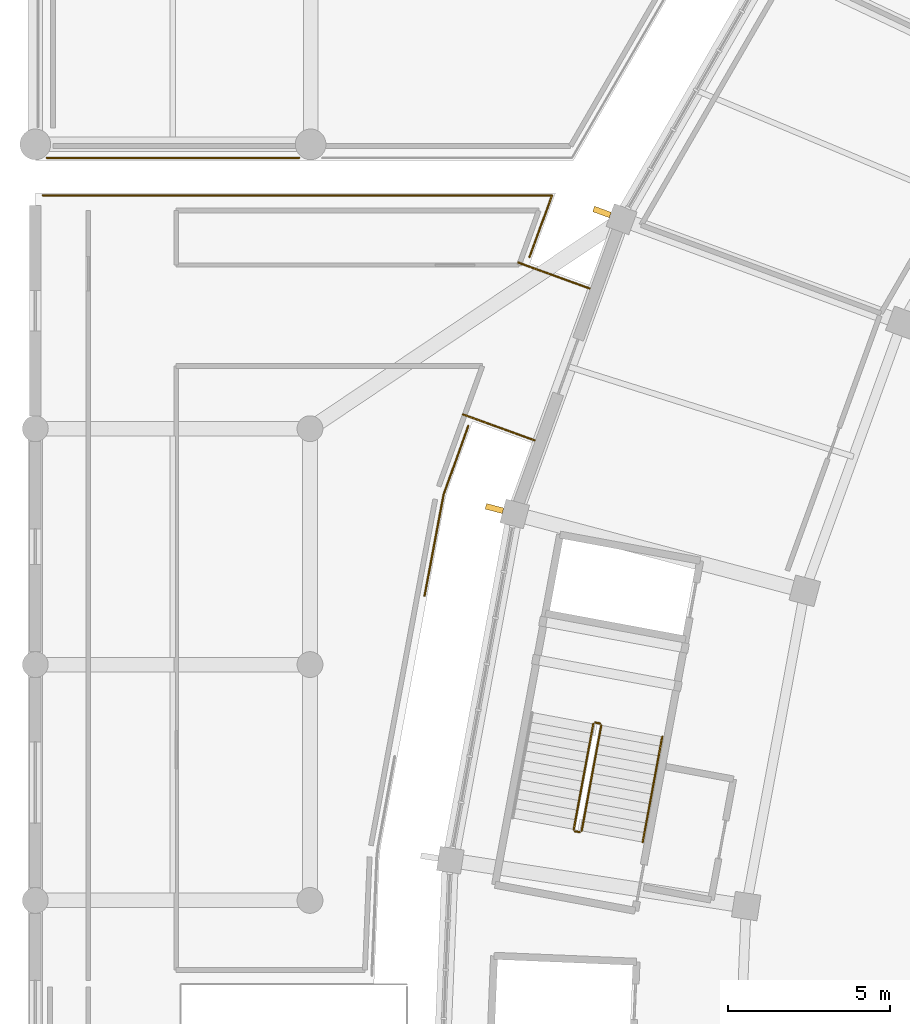
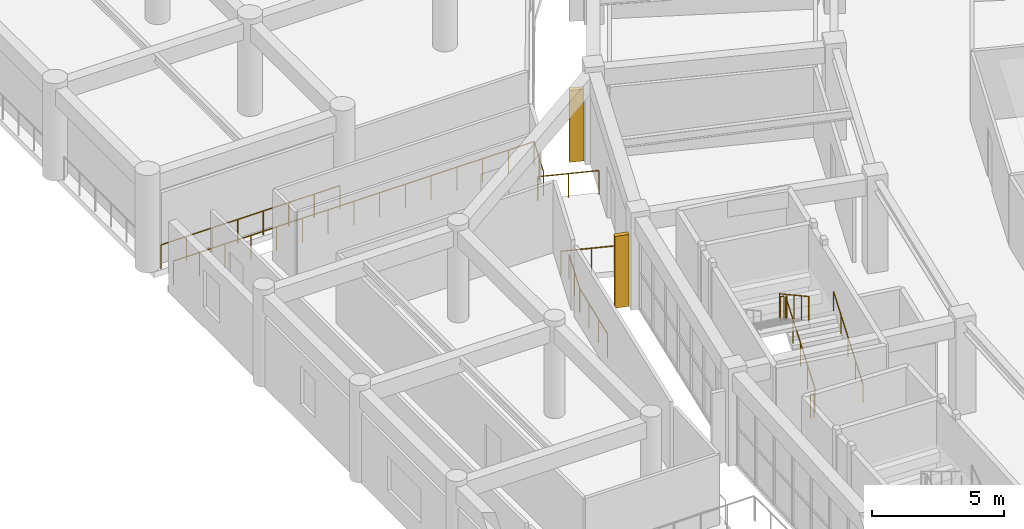
# One storey, part 123 of 141: 10 railings, 2 shading devices.
"""IFC4 building model written with IfcOpenShell, lengths in metres."""

from ifc_helpers import new_model, si_unit, direction, frame, origin, origin_2d, place, context, subcontext, project, spatial, rectangle, circle, extrude, material, type_object, element, save


model = new_model("IFC4")

# Units and contexts
model_context = context("Model", 3, precision=1e-05, world=origin(), true_north=direction((0.0, 1.0)))
body_context = subcontext(model_context, "Body", "Model", "MODEL_VIEW")
ifc_project = project(units=[si_unit("LENGTHUNIT", "METRE"), si_unit("AREAUNIT", "SQUARE_METRE"), si_unit("VOLUMEUNIT", "CUBIC_METRE"), si_unit("PLANEANGLEUNIT", "RADIAN"), si_unit("MASSUNIT", "GRAM", prefix="KILO")], contexts=[model_context])

# Site, building, storey
site_placement = place(None, origin())
site = spatial("IfcSite", under=ifc_project, at=site_placement, CompositionType="ELEMENT")
building_placement = place(site_placement, origin())
building = spatial("IfcBuilding", under=site, at=building_placement, Name="Mphavela Belvedere Stadium", CompositionType="ELEMENT")
storey_placement = place(building_placement, frame((0.0, 0.0, 14.699951171875)))
storey = spatial("IfcBuildingStorey", under=building, at=storey_placement, Name="L03", CompositionType="ELEMENT", Elevation=14.699951171875)

# Railings
ifc_material_1 = material(Name="Bronze and laminated glass stadium balustrade", Category="glass")
railing_type_1 = type_object("IfcRailingType", Name="RAL-BALUSTRADE-1120", PredefinedType="BALUSTRADE", material=ifc_material_1)
railing_1_placement = place(storey_placement, frame((17.154296875, 120.540771484375, 0.0)))
element("IfcRailing", 1, at=railing_1_placement, inside=storey, type_object=railing_type_1, Name="Colonnade link bridge balustrade L03-22A", PredefinedType="BALUSTRADE", context=body_context, shape_type="SweptSolid", body=[
    extrude(circle(Radius=0.02392578125, at=origin_2d()), frame((0.0, 0.0, 1.09619140625), z_axis=(-0.940044916205, 0.341050664151, 0.0), x_axis=(-0.341050664151, -0.940044916205, 0.0)), (0.0, 0.0, 1.0), 2.35009765625),
    extrude(circle(Radius=0.02099609375, at=origin_2d()), origin(), (0.0, 0.0, 1.0), 1.072021484375),
    extrude(circle(Radius=0.02099609375, at=origin_2d()), frame((-1.1044921875, 0.40087890625, 0.0)), (0.0, 0.0, 1.0), 1.072021484375),
    extrude(circle(Radius=0.02099609375, at=origin_2d()), frame((-2.209228515625, 0.801513671875, 0.0)), (0.0, 0.0, 1.0), 1.072021484375),
])
railing_2_placement = place(storey_placement, frame((15.44921875, 115.840576171875, 0.0)))
element("IfcRailing", 2, at=railing_2_placement, inside=storey, type_object=railing_type_1, Name="Colonnade link bridge balustrade L03-22B", PredefinedType="BALUSTRADE", context=body_context, shape_type="SweptSolid", body=[
    extrude(circle(Radius=0.02392578125, at=origin_2d()), frame((0.0, 0.0, 1.09619140625), z_axis=(-0.940078218368, 0.340958858734, 0.0), x_axis=(-0.340958858734, -0.940078218368, 0.0)), (0.0, 0.0, 1.0), 2.35009765625),
    extrude(circle(Radius=0.02099609375, at=origin_2d()), origin(), (0.0, 0.0, 1.0), 1.072021484375),
    extrude(circle(Radius=0.02099609375, at=origin_2d()), frame((-1.1044921875, 0.400634765625, 0.0)), (0.0, 0.0, 1.0), 1.072021484375),
    extrude(circle(Radius=0.02099609375, at=origin_2d()), frame((-2.209228515625, 0.80126953125, 0.0)), (0.0, 0.0, 1.0), 1.072021484375),
])
railing_3_placement = place(storey_placement, frame((8.164306640625, 124.580078125, 0.0)))
element("IfcRailing", 3, at=railing_3_placement, inside=storey, type_object=railing_type_1, Name="Peristyle wing gallery edge balustrade L03-36", PredefinedType="BALUSTRADE", context=body_context, shape_type="SweptSolid", body=[
    extrude(circle(Radius=0.02392578125, at=origin_2d()), frame((0.0, 0.0, 1.09619140625), z_axis=(-1.0, 0.0, 0.0), x_axis=(0.0, -1.0, 0.0)), (0.0, 0.0, 1.0), 7.809814453125),
    extrude(circle(Radius=0.02099609375, at=origin_2d()), origin(), (0.0, 0.0, 1.0), 1.072021484375),
    extrude(circle(Radius=0.02099609375, at=origin_2d()), frame((-1.11572265625, 0.0, 0.0)), (0.0, 0.0, 1.0), 1.072021484375),
    extrude(circle(Radius=0.02099609375, at=origin_2d()), frame((-2.2314453125, 0.0, 0.0)), (0.0, 0.0, 1.0), 1.072021484375),
    extrude(circle(Radius=0.02099609375, at=origin_2d()), frame((-3.34716796875, 0.0, 0.0)), (0.0, 0.0, 1.0), 1.072021484375),
    extrude(circle(Radius=0.02099609375, at=origin_2d()), frame((-4.462646484375, 0.0, 0.0)), (0.0, 0.0, 1.0), 1.072021484375),
    extrude(circle(Radius=0.02099609375, at=origin_2d()), frame((-5.578369140625, 0.0, 0.0)), (0.0, 0.0, 1.0), 1.072021484375),
    extrude(circle(Radius=0.02099609375, at=origin_2d()), frame((-6.694091796875, 0.0, 0.0)), (0.0, 0.0, 1.0), 1.072021484375),
    extrude(circle(Radius=0.02099609375, at=origin_2d()), frame((-7.809814453125, 0.0, 0.0)), (0.0, 0.0, 1.0), 1.072021484375),
])
railing_4_placement = place(storey_placement, frame((13.398193359375, 116.28662109375, 0.0)))
element("IfcRailing", 4, at=railing_4_placement, inside=storey, type_object=railing_type_1, Name="Peristyle wing gallery edge balustrade L03-54", PredefinedType="BALUSTRADE", context=body_context, shape_type="SweptSolid", body=[
    extrude(circle(Radius=0.02392578125, at=origin_2d()), frame((0.0, 0.0, 1.09619140625), z_axis=(-0.337621951524, -0.941281795133, 0.0), x_axis=(0.941281795133, -0.337621951524, 0.0)), (0.0, 0.0, 1.0), 2.26123046875),
    extrude(circle(Radius=0.02392578125, at=origin_2d()), frame((-0.763427734375, -2.12841796875, 1.09619140625), z_axis=(-0.184941248651, -0.982749578757, 0.0), x_axis=(0.982749578757, -0.184941248651, 0.0)), (0.0, 0.0, 1.0), 3.18408203125),
    extrude(circle(Radius=0.02099609375, at=origin_2d()), origin(), (0.0, 0.0, 1.0), 1.072021484375),
    extrude(circle(Radius=0.02099609375, at=origin_2d()), frame((-0.3818359375, -1.064208984375, 0.0)), (0.0, 0.0, 1.0), 1.072021484375),
    extrude(circle(Radius=0.02099609375, at=origin_2d()), frame((-0.763427734375, -2.12841796875, 0.0)), (0.0, 0.0, 1.0), 1.072021484375),
    extrude(circle(Radius=0.02099609375, at=origin_2d()), frame((-0.959716796875, -3.17138671875, 0.0)), (0.0, 0.0, 1.0), 1.072021484375),
    extrude(circle(Radius=0.02099609375, at=origin_2d()), frame((-1.156005859375, -4.214599609375, 0.0)), (0.0, 0.0, 1.0), 1.072021484375),
    extrude(circle(Radius=0.02099609375, at=origin_2d()), frame((-1.352294921875, -5.257568359375, 0.0)), (0.0, 0.0, 1.0), 1.072021484375),
])
railing_5_placement = place(storey_placement, frame((0.2333984375, 123.419921875, 0.0)))
element("IfcRailing", 5, at=railing_5_placement, inside=storey, type_object=railing_type_1, Name="Peristyle wing gallery edge balustrade L03-59", PredefinedType="BALUSTRADE", context=body_context, shape_type="SweptSolid", body=[
    extrude(circle(Radius=0.02392578125, at=origin_2d()), frame((0.0, 0.0, 1.09619140625), z_axis=(1.0, 0.0, 0.0), x_axis=(0.0, 1.0, 0.0)), (0.0, 0.0, 1.0), 15.756103515625),
    extrude(circle(Radius=0.02392578125, at=origin_2d()), frame((15.756103515625, 0.0, 1.09619140625), z_axis=(-0.342380499121, -0.939561383743, 0.0), x_axis=(0.939561383743, -0.342380499121, 0.0)), (0.0, 0.0, 1.0), 2.029296875),
    extrude(circle(Radius=0.02099609375, at=origin_2d()), origin(), (0.0, 0.0, 1.0), 1.072021484375),
    extrude(circle(Radius=0.02099609375, at=origin_2d()), frame((1.12548828125, 0.0, 0.0)), (0.0, 0.0, 1.0), 1.072021484375),
    extrude(circle(Radius=0.02099609375, at=origin_2d()), frame((2.2509765625, 0.0, 0.0)), (0.0, 0.0, 1.0), 1.072021484375),
    extrude(circle(Radius=0.02099609375, at=origin_2d()), frame((3.376220703125, 0.0, 0.0)), (0.0, 0.0, 1.0), 1.072021484375),
    extrude(circle(Radius=0.02099609375, at=origin_2d()), frame((4.501708984375, 0.0, 0.0)), (0.0, 0.0, 1.0), 1.072021484375),
    extrude(circle(Radius=0.02099609375, at=origin_2d()), frame((5.627197265625, 0.0, 0.0)), (0.0, 0.0, 1.0), 1.072021484375),
    extrude(circle(Radius=0.02099609375, at=origin_2d()), frame((6.752685546875, 0.0, 0.0)), (0.0, 0.0, 1.0), 1.072021484375),
    extrude(circle(Radius=0.02099609375, at=origin_2d()), frame((7.8779296875, 0.0, 0.0)), (0.0, 0.0, 1.0), 1.072021484375),
    extrude(circle(Radius=0.02099609375, at=origin_2d()), frame((9.00341796875, 0.0, 0.0)), (0.0, 0.0, 1.0), 1.072021484375),
    extrude(circle(Radius=0.02099609375, at=origin_2d()), frame((10.12890625, 0.0, 0.0)), (0.0, 0.0, 1.0), 1.072021484375),
    extrude(circle(Radius=0.02099609375, at=origin_2d()), frame((11.25439453125, 0.0, 0.0)), (0.0, 0.0, 1.0), 1.072021484375),
    extrude(circle(Radius=0.02099609375, at=origin_2d()), frame((12.3798828125, 0.0, 0.0)), (0.0, 0.0, 1.0), 1.072021484375),
    extrude(circle(Radius=0.02099609375, at=origin_2d()), frame((13.505126953125, 0.0, 0.0)), (0.0, 0.0, 1.0), 1.072021484375),
    extrude(circle(Radius=0.02099609375, at=origin_2d()), frame((14.630615234375, 0.0, 0.0)), (0.0, 0.0, 1.0), 1.072021484375),
    extrude(circle(Radius=0.02099609375, at=origin_2d()), frame((15.756103515625, 0.0, 0.0)), (0.0, 0.0, 1.0), 1.072021484375),
    extrude(circle(Radius=0.02099609375, at=origin_2d()), frame((15.40869140625, -0.953369140625, 0.0)), (0.0, 0.0, 1.0), 1.072021484375),
    extrude(circle(Radius=0.02099609375, at=origin_2d()), frame((15.061279296875, -1.90673828125, 0.0)), (0.0, 0.0, 1.0), 1.072021484375),
])
ifc_material_2 = material(Name="Painted galvanised steel stair guardrail", Category="steel")
railing_type_2 = type_object("IfcRailingType", Name="RAL-GUARD-1120", PredefinedType="GUARDRAIL", material=ifc_material_2)
railing_6_placement = place(storey_placement, frame((16.907958984375, 103.75390625, 0.1875)))
element("IfcRailing", 6, at=railing_6_placement, inside=storey, type_object=railing_type_2, Name="L03 ST-C06 stair guard 1", PredefinedType="GUARDRAIL", context=body_context, shape_type="SweptSolid", body=[
    extrude(circle(Radius=0.02392578125, at=origin_2d()), frame((0.0, 0.0, 1.09619140625), z_axis=(0.155095634283, 0.835293637457, 0.527475007418), x_axis=(-0.983195143855, 0.182557687049, 0.0)), (0.0, 0.0, 1.0), 3.91015625),
    extrude(circle(Radius=0.02099609375, at=origin_2d()), origin(), (0.0, 0.0, 1.0), 1.072021484375),
    extrude(circle(Radius=0.02099609375, at=origin_2d()), frame((0.151611328125, 0.81640625, 0.515625)), (0.0, 0.0, 1.0), 1.072021484375),
    extrude(circle(Radius=0.02099609375, at=origin_2d()), frame((0.30322265625, 1.633056640625, 1.03125)), (0.0, 0.0, 1.0), 1.072021484375),
    extrude(circle(Radius=0.02099609375, at=origin_2d()), frame((0.454833984375, 2.44970703125, 1.546875)), (0.0, 0.0, 1.0), 1.072021484375),
    extrude(circle(Radius=0.02099609375, at=origin_2d()), frame((0.6064453125, 3.26611328125, 2.0625)), (0.0, 0.0, 1.0), 1.072021484375),
])
railing_7_placement = place(storey_placement, frame((17.474365234375, 107.078369140625, 2.25)))
element("IfcRailing", 7, at=railing_7_placement, inside=storey, type_object=railing_type_2, Name="L03 ST-C06 stair guard 2", PredefinedType="GUARDRAIL", context=body_context, shape_type="SweptSolid", body=[
    extrude(circle(Radius=0.02392578125, at=origin_2d()), frame((0.0, 0.0, 1.09619140625), z_axis=(-0.983238797529, 0.182322426032, 0.0), x_axis=(-0.182322426032, -0.983238797529, 0.0)), (0.0, 0.0, 1.0), 0.14990234375),
    extrude(circle(Radius=0.02099609375, at=origin_2d()), origin(), (0.0, 0.0, 1.0), 1.072021484375),
    extrude(circle(Radius=0.02099609375, at=origin_2d()), frame((-0.1474609375, 0.02734375, 0.0)), (0.0, 0.0, 1.0), 1.072021484375),
])
railing_8_placement = place(storey_placement, frame((17.2685546875, 107.065673828125, 2.4375)))
element("IfcRailing", 8, at=railing_8_placement, inside=storey, type_object=railing_type_2, Name="L03 ST-C06 stair guard 3", PredefinedType="GUARDRAIL", context=body_context, shape_type="SweptSolid", body=[
    extrude(circle(Radius=0.02392578125, at=origin_2d()), frame((0.0, 0.0, 1.09619140625), z_axis=(-0.155095634283, -0.835293637457, 0.527475007418), x_axis=(0.983195143855, -0.182557687049, 0.0)), (0.0, 0.0, 1.0), 3.91015625),
    extrude(circle(Radius=0.02099609375, at=origin_2d()), origin(), (0.0, 0.0, 1.0), 1.072021484375),
    extrude(circle(Radius=0.02099609375, at=origin_2d()), frame((-0.151611328125, -0.81640625, 0.515625)), (0.0, 0.0, 1.0), 1.072021484375),
    extrude(circle(Radius=0.02099609375, at=origin_2d()), frame((-0.30322265625, -1.633056640625, 1.03125)), (0.0, 0.0, 1.0), 1.072021484375),
    extrude(circle(Radius=0.02099609375, at=origin_2d()), frame((-0.454833984375, -2.44970703125, 1.546875)), (0.0, 0.0, 1.0), 1.072021484375),
    extrude(circle(Radius=0.02099609375, at=origin_2d()), frame((-0.6064453125, -3.26611328125, 2.0625)), (0.0, 0.0, 1.0), 1.072021484375),
])
railing_9_placement = place(storey_placement, frame((16.849609375, 103.7138671875, 0.0)))
element("IfcRailing", 9, at=railing_9_placement, inside=storey, type_object=railing_type_2, Name="L03 ST-C06 stair guard 4", PredefinedType="GUARDRAIL", context=body_context, shape_type="SweptSolid", body=[
    extrude(circle(Radius=0.02392578125, at=origin_2d()), frame((0.0, 0.0, 1.09619140625), z_axis=(-0.983238797529, 0.182322426032, 0.0), x_axis=(-0.182322426032, -0.983238797529, 0.0)), (0.0, 0.0, 1.0), 0.14990234375),
    extrude(circle(Radius=0.02099609375, at=origin_2d()), origin(), (0.0, 0.0, 1.0), 1.072021484375),
    extrude(circle(Radius=0.02099609375, at=origin_2d()), frame((-0.1474609375, 0.02734375, 0.0)), (0.0, 0.0, 1.0), 1.072021484375),
])
ifc_material_3 = material(Name="Brushed stainless steel tubular handrail", Category="steel")
railing_type_3 = type_object("IfcRailingType", Name="RAL-HANDRAIL-900", PredefinedType="HANDRAIL", material=ifc_material_3)
railing_10_placement = place(storey_placement, frame((18.795654296875, 103.4033203125, 0.1875)))
element("IfcRailing", 10, at=railing_10_placement, inside=storey, type_object=railing_type_3, Name="L03 ST-C06 stair handrail 1", PredefinedType="HANDRAIL", context=body_context, shape_type="SweptSolid", body=[
    extrude(circle(Radius=0.02392578125, at=origin_2d()), frame((0.0, 0.0, 0.8759765625), z_axis=(0.155095634283, 0.835293637457, 0.527475007418), x_axis=(-0.983195143855, 0.182557687049, 0.0)), (0.0, 0.0, 1.0), 3.91015625),
    extrude(circle(Radius=0.02099609375, at=origin_2d()), origin(), (0.0, 0.0, 1.0), 0.851806640625),
    extrude(circle(Radius=0.02099609375, at=origin_2d()), frame((0.151611328125, 0.81640625, 0.515625)), (0.0, 0.0, 1.0), 0.851806640625),
    extrude(circle(Radius=0.02099609375, at=origin_2d()), frame((0.30322265625, 1.633056640625, 1.03125)), (0.0, 0.0, 1.0), 0.851806640625),
    extrude(circle(Radius=0.02099609375, at=origin_2d()), frame((0.454833984375, 2.44970703125, 1.546875)), (0.0, 0.0, 1.0), 0.851806640625),
    extrude(circle(Radius=0.02099609375, at=origin_2d()), frame((0.6064453125, 3.26611328125, 2.0625)), (0.0, 0.0, 1.0), 0.851806640625),
])

# Shading devices
ifc_material_4 = material(Name="Honed limestone and bronze vertical brise-soleil fin", Category="masonry")
shading_device_type = type_object("IfcShadingDeviceType", Name="SHD-SOLAR-FIN", PredefinedType="USERDEFINED", material=ifc_material_4)
for number, where, z_axis, x_axis, name in (
    (11, (17.535888671875, 122.90625, 0.0), (0.0, 0.0, 1.0), (-0.938372433776, 0.34562577382, 0.0), "Classical vertical solar brise-soleil fin L03-22"),
    (12, (14.208984375, 113.728515625, 0.0), (0.0, 0.0, 1.0), (-0.966600102017, 0.256289373133, 0.0), "Classical vertical solar brise-soleil fin L03-23"),
):
    element("IfcShadingDevice", number, at=place(storey_placement, frame(where, z_axis=z_axis, x_axis=x_axis)), inside=storey, type_object=shading_device_type, Name=name, ObjectType="SOLAR FIN", PredefinedType="USERDEFINED", context=body_context, shape_type="SweptSolid", body=[
        extrude(rectangle(XDim=0.550048828125, YDim=0.179931640625, at=origin_2d()), origin(), (0.0, 0.0, 1.0), 3.320068359375),
    ])

save(model, "model.ifc")
